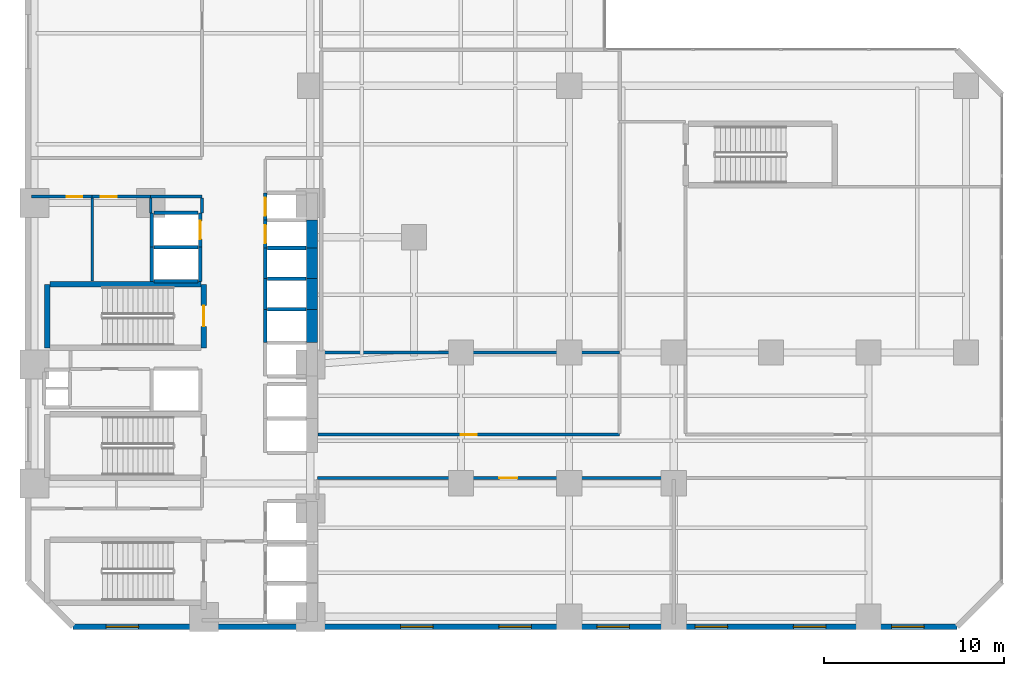
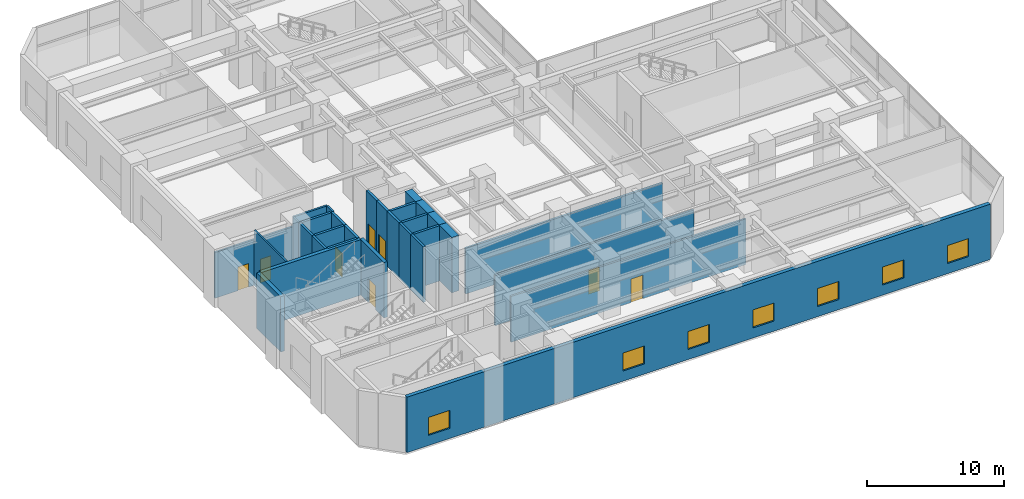
# One storey, part 15 of 22: 32 walls, 8 doors, 7 windows, 15 openings.
"""IFC4 building model written with IfcOpenShell, lengths in metres."""

from ifc_helpers import new_model, si_unit, direction, frame, frame_2d, origin, place, context, subcontext, project, spatial, rectangle, extrude, material, layer, layer_set, type_object, element, fill, save


model = new_model("IFC4")

# Units and contexts
model_context = context("Model", 3, precision=1e-05, world=origin(), true_north=direction((0.0, 1.0)))
body_context = subcontext(model_context, "Body", "Model", "MODEL_VIEW")
ifc_project = project(units=[si_unit("LENGTHUNIT", "METRE"), si_unit("AREAUNIT", "SQUARE_METRE"), si_unit("VOLUMEUNIT", "CUBIC_METRE"), si_unit("PLANEANGLEUNIT", "RADIAN"), si_unit("MASSUNIT", "GRAM", prefix="KILO")], contexts=[model_context])

# Site, building, storey
site_placement = place(None, origin())
site = spatial("IfcSite", under=ifc_project, at=site_placement, CompositionType="ELEMENT")
building_placement = place(site_placement, origin())
building = spatial("IfcBuilding", under=site, at=building_placement, Name="Mawjaban Terraces University", CompositionType="ELEMENT")
storey_placement = place(building_placement, frame((0.0, 0.0, 10.39990234375)))
storey = spatial("IfcBuildingStorey", under=building, at=storey_placement, Name="L02", CompositionType="ELEMENT", Elevation=10.39990234375)

# Walls
ifc_material_1 = material(Name="Acoustic masonry blockwork", Category="masonry")
ifc_layer_1 = layer(ifc_material_1, 0.179931640625)
ifc_layer_set_1 = layer_set([ifc_layer_1], Name="Acoustic masonry blockwork")
wall_type_1 = type_object("IfcWallType", Name="AcousticStudioWall_180", PredefinedType="PARTITIONING", material=ifc_layer_set_1)
wall_1_placement = place(storey_placement, frame((38.25, 15.199951171875, 0.0), z_axis=(0.0, 0.0, 1.0), x_axis=(1.0, 0.0, 0.0)))
element("IfcWall", 1, at=wall_1_placement, inside=storey, type_object=wall_type_1, Name="L02 Fixed-Seat Lecture Theatre Partition 14", PredefinedType="PARTITIONING", context=body_context, shape_type="SweptSolid", body=[
    extrude(rectangle(XDim=16.550048828125, YDim=0.179931640625, at=frame_2d((8.27490234375, 0.0))), origin(), (0.0, 0.0, 1.0), 4.065185546875),
])
ifc_material_2 = material(Name="Concrete C70/85", Category="concrete")
ifc_layer_2 = layer(ifc_material_2, 0.60009765625)
ifc_layer_set_2 = layer_set([ifc_layer_2], Name="Concrete C70/85")
wall_type_2 = type_object("IfcWallType", Name="CoreShearWall_600", PredefinedType="SHEAR", material=ifc_layer_set_2)
wall_2_placement = place(storey_placement, frame((37.75, 15.75, 0.0), z_axis=(0.0, 0.0, 1.0), x_axis=(0.0, 1.0, 0.0)))
element("IfcWall", 2, at=wall_2_placement, inside=storey, type_object=wall_type_2, Name="L02 Lift OL-2 Hoistway Wall East", PredefinedType="SHEAR", context=body_context, shape_type="SweptSolid", body=[
    extrude(rectangle(XDim=1.85009765625, YDim=0.60009765625, at=frame_2d((0.925048828125, 0.0))), origin(), (0.0, 0.0, 1.0), 4.920166015625),
])
for number, where, z_axis, x_axis, name in (
    (3, (37.75, 17.60009765625, 0.0), (0.0, 0.0, 1.0), (0.0, 1.0, 0.0), "L02 Lift PL-M1 Hoistway Wall East"),
    (4, (37.75, 19.300048828125, 0.0), (0.0, 0.0, 1.0), (0.0, 1.0, 0.0), "L02 Lift PL-M2 Hoistway Wall East"),
):
    element("IfcWall", number, at=place(storey_placement, frame(where, z_axis=z_axis, x_axis=x_axis)), inside=storey, type_object=wall_type_2, Name=name, PredefinedType="SHEAR", context=body_context, shape_type="SweptSolid", body=[
        extrude(rectangle(XDim=1.699951171875, YDim=0.60009765625, at=frame_2d((0.85009765625, 0.0))), origin(), (0.0, 0.0, 1.0), 4.920166015625),
    ])
wall_3_placement = place(storey_placement, frame((37.75, 21.0, 0.0), z_axis=(0.0, 0.0, 1.0), x_axis=(0.0, 1.0, 0.0)))
element("IfcWall", 5, at=wall_3_placement, inside=storey, type_object=wall_type_2, Name="L02 Lift PL-L1 Hoistway Wall East", PredefinedType="SHEAR", context=body_context, shape_type="SweptSolid", body=[
    extrude(rectangle(XDim=1.550048828125, YDim=0.60009765625, at=frame_2d((0.77490234375, 0.0))), origin(), (0.0, 0.0, 1.0), 4.920166015625),
])

# Wall, opening, door
ifc_material_3 = material(Name="Fire-rated gypsum board on steel stud", Category="steel")
ifc_layer_3 = layer(ifc_material_3, 0.159912109375)
ifc_layer_set_3 = layer_set([ifc_layer_3], Name="Fire-rated gypsum board on steel stud")
wall_type_3 = type_object("IfcWallType", Name="CorridorPartition_160", PredefinedType="PARTITIONING", material=ifc_layer_set_3)
wall_4_placement = place(storey_placement, frame((25.550048828125, 23.85009765625, 0.0), z_axis=(0.0, 0.0, 1.0), x_axis=(-1.0, 0.0, 0.0)))
wall_4 = element("IfcWall", 6, at=wall_4_placement, inside=storey, type_object=wall_type_3, Name="L02 Female Toilet Partition 3", PredefinedType="PARTITIONING", context=body_context, shape_type="SweptSolid", body=[
    extrude(rectangle(XDim=3.35009765625, YDim=0.159912109375, at=frame_2d((1.675048828125, 0.0))), origin(), (0.0, 0.0, 1.0), 4.065185546875),
])
opening_1_placement = place(wall_4_placement, frame((0.534912109375, 0.0, 0.0)))
opening_1 = element("IfcOpeningElement", 7, at=opening_1_placement, cuts=wall_4, Name="Opening ID-088", PredefinedType="OPENING", context=body_context, shape_type="SweptSolid", body=[
    extrude(rectangle(XDim=0.8798828125, YDim=2.10009765625, at=frame_2d((0.43994140625, 1.050048828125))), frame((0.0, 0.08984375, 0.0), z_axis=(0.0, -1.0, 0.0), x_axis=(1.0, 0.0, 0.0)), (0.0, 0.0, 1.0), 0.179931640625),
])
ifc_material_4 = material(Name="Powder-coated steel frame and solid acoustic timber leaf", Category="steel")
door_type_1 = type_object("IfcDoorType", Name="ToiletDoor_880x2100", OperationType="NOTDEFINED", PredefinedType="DOOR", material=ifc_material_4)
door_1_placement = place(opening_1_placement, origin())
door_1 = element("IfcDoor", 8, at=door_1_placement, inside=storey, type_object=door_type_1, Name="L02 Female Toilet Door", OperationType="SINGLE_SWING_LEFT", OverallHeight=2.10009765625, OverallWidth=0.8798828125, PredefinedType="DOOR", context=body_context, shape_type="SweptSolid", body=[
    extrude(rectangle(XDim=0.8798828125, YDim=2.10009765625, at=frame_2d((0.43994140625, 1.050048828125))), frame((0.0, 0.02490234375, 0.0), z_axis=(0.0, -1.0, 0.0), x_axis=(1.0, 0.0, 0.0)), (0.0, 0.0, 1.0), 0.050048828125),
])
fill(opening_1, door_1)

wall_5_placement = place(storey_placement, frame((28.800048828125, 23.85009765625, 0.0), z_axis=(0.0, 0.0, 1.0), x_axis=(-1.0, 0.0, 0.0)))
wall_5 = element("IfcWall", 9, at=wall_5_placement, inside=storey, type_object=wall_type_3, Name="L02 Staff Tea Pantry Partition 5", PredefinedType="PARTITIONING", context=body_context, shape_type="SweptSolid", body=[
    extrude(rectangle(XDim=3.25, YDim=0.159912109375, at=frame_2d((1.625, 0.0))), origin(), (0.0, 0.0, 1.0), 4.065185546875),
])
opening_2_placement = place(wall_5_placement, frame((1.875, 0.0, 0.0)))
opening_2 = element("IfcOpeningElement", 10, at=opening_2_placement, cuts=wall_5, Name="Opening ID-090", PredefinedType="OPENING", context=body_context, shape_type="SweptSolid", body=[
    extrude(rectangle(XDim=0.89990234375, YDim=2.10009765625, at=frame_2d((0.449951171875, 1.050048828125))), frame((0.0, 0.08984375, 0.0), z_axis=(0.0, -1.0, 0.0), x_axis=(1.0, 0.0, 0.0)), (0.0, 0.0, 1.0), 0.179931640625),
])
door_type_2 = type_object("IfcDoorType", Name="OfficeDoor_900x2100", OperationType="NOTDEFINED", PredefinedType="DOOR", material=ifc_material_4)
door_2_placement = place(opening_2_placement, origin())
door_2 = element("IfcDoor", 11, at=door_2_placement, inside=storey, type_object=door_type_2, Name="L02 Staff Tea Pantry Door", OperationType="SINGLE_SWING_RIGHT", OverallHeight=2.10009765625, OverallWidth=0.89990234375, PredefinedType="DOOR", context=body_context, shape_type="SweptSolid", body=[
    extrude(rectangle(XDim=0.89990234375, YDim=2.10009765625, at=frame_2d((0.449951171875, 1.050048828125))), frame((0.0, 0.02490234375, 0.0), z_axis=(0.0, -1.0, 0.0), x_axis=(1.0, 0.0, 0.0)), (0.0, 0.0, 1.0), 0.050048828125),
])
fill(opening_2, door_2)

# Wall
wall_6_placement = place(storey_placement, frame((28.800048828125, 23.85009765625, 0.0), z_axis=(0.0, 0.0, 1.0), x_axis=(1.0, 0.0, 0.0)))
element("IfcWall", 12, at=wall_6_placement, inside=storey, type_object=wall_type_3, Name="L02 North Core Cross-Corridor Partition 6", PredefinedType="PARTITIONING", context=body_context, shape_type="SweptSolid", body=[
    extrude(rectangle(XDim=2.849853515625, YDim=0.159912109375, at=frame_2d((1.4248046875, 0.0))), origin(), (0.0, 0.0, 1.0), 4.920166015625),
])

# Wall, opening, door
wall_7_placement = place(storey_placement, frame((38.050048828125, 8.25, 0.0), z_axis=(0.0, 0.0, 1.0), x_axis=(1.0, 0.0, 0.0)))
wall_7 = element("IfcWall", 13, at=wall_7_placement, inside=storey, type_object=wall_type_3, Name="L02 Podium Academic Gallery Corridor Partition 13", PredefinedType="PARTITIONING", context=body_context, shape_type="SweptSolid", body=[
    extrude(rectangle(XDim=19.75, YDim=0.159912109375, at=frame_2d((9.875, 0.0))), origin(), (0.0, 0.0, 1.0), 4.065185546875),
])
opening_3_placement = place(wall_7_placement, frame((10.074951171875, 0.0, 0.0)))
opening_3 = element("IfcOpeningElement", 14, at=opening_3_placement, cuts=wall_7, Name="Opening ID-100", PredefinedType="OPENING", context=body_context, shape_type="SweptSolid", body=[
    extrude(rectangle(XDim=1.0, YDim=2.10009765625, at=frame_2d((0.5, 1.050048828125))), frame((0.0, 0.08984375, 0.0), z_axis=(0.0, -1.0, 0.0), x_axis=(1.0, 0.0, 0.0)), (0.0, 0.0, 1.0), 0.179931640625),
])
door_type_3 = type_object("IfcDoorType", Name="ClassroomDoor_1000x2100", OperationType="NOTDEFINED", PredefinedType="DOOR", material=ifc_material_4)
door_3_placement = place(opening_3_placement, origin())
door_3 = element("IfcDoor", 15, at=door_3_placement, inside=storey, type_object=door_type_3, Name="L02 Foundation Seminar Classroom Door", OperationType="SINGLE_SWING_RIGHT", OverallHeight=2.10009765625, OverallWidth=1.0, PredefinedType="DOOR", context=body_context, shape_type="SweptSolid", body=[
    extrude(rectangle(XDim=1.0, YDim=2.10009765625, at=frame_2d((0.5, 1.050048828125))), frame((0.0, 0.02490234375, 0.0), z_axis=(0.0, -1.0, 0.0), x_axis=(1.0, 0.0, 0.0)), (0.0, 0.0, 1.0), 0.050048828125),
])
fill(opening_3, door_3)

wall_8_placement = place(storey_placement, frame((54.800048828125, 10.64990234375, 0.0), z_axis=(0.0, 0.0, 1.0), x_axis=(-1.0, 0.0, 0.0)))
wall_8 = element("IfcWall", 16, at=wall_8_placement, inside=storey, type_object=wall_type_3, Name="L02 Podium Academic Gallery Corridor Partition 18", PredefinedType="PARTITIONING", context=body_context, shape_type="SweptSolid", body=[
    extrude(rectangle(XDim=16.719970703125, YDim=0.159912109375, at=frame_2d((8.35986328125, 0.0))), origin(), (0.0, 0.0, 1.0), 4.451171875),
])
opening_4_placement = place(wall_8_placement, frame((7.909912109375, 0.0, 0.0)))
opening_4 = element("IfcOpeningElement", 17, at=opening_4_placement, cuts=wall_8, Name="Opening ID-090", PredefinedType="OPENING", context=body_context, shape_type="SweptSolid", body=[
    extrude(rectangle(XDim=0.89990234375, YDim=2.10009765625, at=frame_2d((0.449951171875, 1.050048828125))), frame((0.0, 0.08984375, 0.0), z_axis=(0.0, -1.0, 0.0), x_axis=(1.0, 0.0, 0.0)), (0.0, 0.0, 1.0), 0.179931640625),
])
door_4_placement = place(opening_4_placement, origin())
door_4 = element("IfcDoor", 18, at=door_4_placement, inside=storey, type_object=door_type_2, Name="L02 Lecture Audio-Visual Preparation Room Door", OperationType="SINGLE_SWING_LEFT", OverallHeight=2.10009765625, OverallWidth=0.89990234375, PredefinedType="DOOR", context=body_context, shape_type="SweptSolid", body=[
    extrude(rectangle(XDim=0.89990234375, YDim=2.10009765625, at=frame_2d((0.449951171875, 1.050048828125))), frame((0.0, 0.02490234375, 0.0), z_axis=(0.0, -1.0, 0.0), x_axis=(1.0, 0.0, 0.0)), (0.0, 0.0, 1.0), 0.050048828125),
])
fill(opening_4, door_4)

# Wall
wall_9_placement = place(storey_placement, frame((31.64990234375, 23.77490234375, 0.0), z_axis=(0.0, 0.0, 1.0), x_axis=(0.0, -1.0, 0.0)))
element("IfcWall", 19, at=wall_9_placement, inside=storey, type_object=wall_type_3, Name="L02 Passenger Lift Lobby Partition 28", PredefinedType="PARTITIONING", context=body_context, shape_type="SweptSolid", body=[
    extrude(rectangle(XDim=0.824951171875, YDim=0.159912109375, at=frame_2d((0.41259765625, 0.0))), origin(), (0.0, 0.0, 1.0), 4.920166015625),
])

# Wall, openings, windows
ifc_material_5 = material(Name="Insulated terracotta rainscreen on concrete backup C40/50", Category="masonry")
ifc_layer_4 = layer(ifc_material_5, 0.320068359375)
ifc_layer_set_4 = layer_set([ifc_layer_4], Name="Insulated terracotta rainscreen on concrete backup C40/50")
wall_type_4 = type_object("IfcWallType", Name="ExtTerracottaWall_320", PredefinedType="SOLIDWALL", material=ifc_layer_set_4)
wall_10_placement = place(storey_placement, frame((24.5, 0.0, 0.0), z_axis=(0.0, 0.0, 1.0), x_axis=(1.0, 0.0, 0.0)))
wall_10 = element("IfcWall", 20, at=wall_10_placement, inside=storey, type_object=wall_type_4, Name="L02 Exterior Terracotta Wall 1", PredefinedType="SOLIDWALL", context=body_context, shape_type="SweptSolid", body=[
    extrude(rectangle(XDim=49.0, YDim=0.320068359375, at=frame_2d((24.5, 0.0))), origin(), (0.0, 0.0, 1.0), 4.920166015625),
])
opening_5_placement = place(wall_10_placement, frame((1.822021484375, 0.0, 0.89990234375)))
opening_5 = element("IfcOpeningElement", 21, at=opening_5_placement, cuts=wall_10, Name="Opening W-03", PredefinedType="OPENING", context=body_context, shape_type="SweptSolid", body=[
    extrude(rectangle(XDim=1.800048828125, YDim=1.60009765625, at=frame_2d((0.89990234375, 0.800048828125))), frame((0.0, 0.169921875, 0.0), z_axis=(0.0, -1.0, 0.0), x_axis=(1.0, 0.0, 0.0)), (0.0, 0.0, 1.0), 0.340087890625),
])
opening_6_placement = place(wall_10_placement, frame((18.156005859375, 0.0, 0.89990234375)))
opening_6 = element("IfcOpeningElement", 22, at=opening_6_placement, cuts=wall_10, Name="Opening W-03", PredefinedType="OPENING", context=body_context, shape_type="SweptSolid", body=[
    extrude(rectangle(XDim=1.800048828125, YDim=1.60009765625, at=frame_2d((0.89990234375, 0.800048828125))), frame((0.0, 0.169921875, 0.0), z_axis=(0.0, -1.0, 0.0), x_axis=(1.0, 0.0, 0.0)), (0.0, 0.0, 1.0), 0.340087890625),
])
opening_7_placement = place(wall_10_placement, frame((23.60009765625, 0.0, 0.89990234375)))
opening_7 = element("IfcOpeningElement", 23, at=opening_7_placement, cuts=wall_10, Name="Opening W-03", PredefinedType="OPENING", context=body_context, shape_type="SweptSolid", body=[
    extrude(rectangle(XDim=1.800048828125, YDim=1.60009765625, at=frame_2d((0.89990234375, 0.800048828125))), frame((0.0, 0.169921875, 0.0), z_axis=(0.0, -1.0, 0.0), x_axis=(1.0, 0.0, 0.0)), (0.0, 0.0, 1.0), 0.340087890625),
])
opening_8_placement = place(wall_10_placement, frame((29.0439453125, 0.0, 0.89990234375)))
opening_8 = element("IfcOpeningElement", 24, at=opening_8_placement, cuts=wall_10, Name="Opening W-03", PredefinedType="OPENING", context=body_context, shape_type="SweptSolid", body=[
    extrude(rectangle(XDim=1.800048828125, YDim=1.60009765625, at=frame_2d((0.89990234375, 0.800048828125))), frame((0.0, 0.169921875, 0.0), z_axis=(0.0, -1.0, 0.0), x_axis=(1.0, 0.0, 0.0)), (0.0, 0.0, 1.0), 0.340087890625),
])
opening_9_placement = place(wall_10_placement, frame((34.489013671875, 0.0, 0.89990234375)))
opening_9 = element("IfcOpeningElement", 25, at=opening_9_placement, cuts=wall_10, Name="Opening W-03", PredefinedType="OPENING", context=body_context, shape_type="SweptSolid", body=[
    extrude(rectangle(XDim=1.800048828125, YDim=1.60009765625, at=frame_2d((0.89990234375, 0.800048828125))), frame((0.0, 0.169921875, 0.0), z_axis=(0.0, -1.0, 0.0), x_axis=(1.0, 0.0, 0.0)), (0.0, 0.0, 1.0), 0.340087890625),
])
opening_10_placement = place(wall_10_placement, frame((39.93310546875, 0.0, 0.89990234375)))
opening_10 = element("IfcOpeningElement", 26, at=opening_10_placement, cuts=wall_10, Name="Opening W-03", PredefinedType="OPENING", context=body_context, shape_type="SweptSolid", body=[
    extrude(rectangle(XDim=1.800048828125, YDim=1.60009765625, at=frame_2d((0.89990234375, 0.800048828125))), frame((0.0, 0.169921875, 0.0), z_axis=(0.0, -1.0, 0.0), x_axis=(1.0, 0.0, 0.0)), (0.0, 0.0, 1.0), 0.340087890625),
])
opening_11_placement = place(wall_10_placement, frame((45.3779296875, 0.0, 0.89990234375)))
opening_11 = element("IfcOpeningElement", 27, at=opening_11_placement, cuts=wall_10, Name="Opening W-03", PredefinedType="OPENING", context=body_context, shape_type="SweptSolid", body=[
    extrude(rectangle(XDim=1.800048828125, YDim=1.60009765625, at=frame_2d((0.89990234375, 0.800048828125))), frame((0.0, 0.169921875, 0.0), z_axis=(0.0, -1.0, 0.0), x_axis=(1.0, 0.0, 0.0)), (0.0, 0.0, 1.0), 0.340087890625),
])
ifc_material_6 = material(Name="Low-E solar-control double glazing in thermally broken aluminium frame", Category="aluminium")
window_type = type_object("IfcWindowType", Name="Win_1800x1600", PartitioningType="SINGLE_PANEL", PredefinedType="WINDOW", material=ifc_material_6)
window_1_placement = place(opening_5_placement, origin())
window_1 = element("IfcWindow", 28, at=window_1_placement, inside=storey, type_object=window_type, Name="L02 Facade Window 1.1", OverallHeight=1.60009765625, OverallWidth=1.800048828125, PartitioningType="SINGLE_PANEL", PredefinedType="WINDOW", context=body_context, shape_type="SweptSolid", body=[
    extrude(rectangle(XDim=1.800048828125, YDim=1.60009765625, at=frame_2d((0.89990234375, 0.800048828125))), frame((0.0, 0.030029296875, 0.0), z_axis=(0.0, -1.0, 0.0), x_axis=(1.0, 0.0, 0.0)), (0.0, 0.0, 1.0), 0.06005859375),
])
fill(opening_5, window_1)
window_2_placement = place(opening_6_placement, origin())
window_2 = element("IfcWindow", 29, at=window_2_placement, inside=storey, type_object=window_type, Name="L02 Facade Window 1.4", OverallHeight=1.60009765625, OverallWidth=1.800048828125, PartitioningType="SINGLE_PANEL", PredefinedType="WINDOW", context=body_context, shape_type="SweptSolid", body=[
    extrude(rectangle(XDim=1.800048828125, YDim=1.60009765625, at=frame_2d((0.89990234375, 0.800048828125))), frame((0.0, 0.030029296875, 0.0), z_axis=(0.0, -1.0, 0.0), x_axis=(1.0, 0.0, 0.0)), (0.0, 0.0, 1.0), 0.06005859375),
])
fill(opening_6, window_2)
window_3_placement = place(opening_7_placement, origin())
window_3 = element("IfcWindow", 30, at=window_3_placement, inside=storey, type_object=window_type, Name="L02 Facade Window 1.5", OverallHeight=1.60009765625, OverallWidth=1.800048828125, PartitioningType="SINGLE_PANEL", PredefinedType="WINDOW", context=body_context, shape_type="SweptSolid", body=[
    extrude(rectangle(XDim=1.800048828125, YDim=1.60009765625, at=frame_2d((0.89990234375, 0.800048828125))), frame((0.0, 0.030029296875, 0.0), z_axis=(0.0, -1.0, 0.0), x_axis=(1.0, 0.0, 0.0)), (0.0, 0.0, 1.0), 0.06005859375),
])
fill(opening_7, window_3)
window_4_placement = place(opening_8_placement, origin())
window_4 = element("IfcWindow", 31, at=window_4_placement, inside=storey, type_object=window_type, Name="L02 Facade Window 1.6", OverallHeight=1.60009765625, OverallWidth=1.800048828125, PartitioningType="SINGLE_PANEL", PredefinedType="WINDOW", context=body_context, shape_type="SweptSolid", body=[
    extrude(rectangle(XDim=1.800048828125, YDim=1.60009765625, at=frame_2d((0.89990234375, 0.800048828125))), frame((0.0, 0.030029296875, 0.0), z_axis=(0.0, -1.0, 0.0), x_axis=(1.0, 0.0, 0.0)), (0.0, 0.0, 1.0), 0.06005859375),
])
fill(opening_8, window_4)
window_5_placement = place(opening_9_placement, origin())
window_5 = element("IfcWindow", 32, at=window_5_placement, inside=storey, type_object=window_type, Name="L02 Facade Window 1.7", OverallHeight=1.60009765625, OverallWidth=1.800048828125, PartitioningType="SINGLE_PANEL", PredefinedType="WINDOW", context=body_context, shape_type="SweptSolid", body=[
    extrude(rectangle(XDim=1.800048828125, YDim=1.60009765625, at=frame_2d((0.89990234375, 0.800048828125))), frame((0.0, 0.030029296875, 0.0), z_axis=(0.0, -1.0, 0.0), x_axis=(1.0, 0.0, 0.0)), (0.0, 0.0, 1.0), 0.06005859375),
])
fill(opening_9, window_5)
window_6_placement = place(opening_10_placement, origin())
window_6 = element("IfcWindow", 33, at=window_6_placement, inside=storey, type_object=window_type, Name="L02 Facade Window 1.8", OverallHeight=1.60009765625, OverallWidth=1.800048828125, PartitioningType="SINGLE_PANEL", PredefinedType="WINDOW", context=body_context, shape_type="SweptSolid", body=[
    extrude(rectangle(XDim=1.800048828125, YDim=1.60009765625, at=frame_2d((0.89990234375, 0.800048828125))), frame((0.0, 0.030029296875, 0.0), z_axis=(0.0, -1.0, 0.0), x_axis=(1.0, 0.0, 0.0)), (0.0, 0.0, 1.0), 0.06005859375),
])
fill(opening_10, window_6)
window_7_placement = place(opening_11_placement, origin())
window_7 = element("IfcWindow", 34, at=window_7_placement, inside=storey, type_object=window_type, Name="L02 Facade Window 1.9", OverallHeight=1.60009765625, OverallWidth=1.800048828125, PartitioningType="SINGLE_PANEL", PredefinedType="WINDOW", context=body_context, shape_type="SweptSolid", body=[
    extrude(rectangle(XDim=1.800048828125, YDim=1.60009765625, at=frame_2d((0.89990234375, 0.800048828125))), frame((0.0, 0.030029296875, 0.0), z_axis=(0.0, -1.0, 0.0), x_axis=(1.0, 0.0, 0.0)), (0.0, 0.0, 1.0), 0.06005859375),
])
fill(opening_11, window_7)

# Walls
ifc_material_7 = material(Name="Concrete C40/50", Category="concrete")
ifc_layer_5 = layer(ifc_material_7, 0.199951171875)
ifc_layer_set_5 = layer_set([ifc_layer_5], Name="Concrete C40/50")
wall_type_5 = type_object("IfcWallType", Name="FireLobbyWall_200", PredefinedType="SOLIDWALL", material=ifc_layer_set_5)
wall_11_placement = place(storey_placement, frame((35.14990234375, 17.60009765625, 0.0), z_axis=(0.0, 0.0, 1.0), x_axis=(0.0, -1.0, 0.0)))
element("IfcWall", 35, at=wall_11_placement, inside=storey, type_object=wall_type_5, Name="L02 Lift OL-2 Hoistway Wall West", PredefinedType="SOLIDWALL", context=body_context, shape_type="SweptSolid", body=[
    extrude(rectangle(XDim=1.85009765625, YDim=0.199951171875, at=frame_2d((0.925048828125, 0.0))), origin(), (0.0, 0.0, 1.0), 4.920166015625),
])
wall_12_placement = place(storey_placement, frame((37.419921875, 17.60009765625, 0.0), z_axis=(0.0, 0.0, 1.0), x_axis=(-1.0, 0.0, 0.0)))
element("IfcWall", 36, at=wall_12_placement, inside=storey, type_object=wall_type_5, Name="L02 Lift OL-2 Hoistway Wall North", PredefinedType="SOLIDWALL", context=body_context, shape_type="SweptSolid", body=[
    extrude(rectangle(XDim=2.139892578125, YDim=0.199951171875, at=frame_2d((1.06982421875, 0.0))), origin(), (0.0, 0.0, 1.0), 4.920166015625),
])
wall_13_placement = place(storey_placement, frame((35.14990234375, 19.300048828125, 0.0), z_axis=(0.0, 0.0, 1.0), x_axis=(0.0, -1.0, 0.0)))
element("IfcWall", 37, at=wall_13_placement, inside=storey, type_object=wall_type_5, Name="L02 Lift PL-M1 Hoistway Wall West", PredefinedType="SOLIDWALL", context=body_context, shape_type="SweptSolid", body=[
    extrude(rectangle(XDim=1.699951171875, YDim=0.199951171875, at=frame_2d((0.85009765625, 0.0))), origin(), (0.0, 0.0, 1.0), 4.920166015625),
])
wall_14_placement = place(storey_placement, frame((37.419921875, 19.300048828125, 0.0), z_axis=(0.0, 0.0, 1.0), x_axis=(-1.0, 0.0, 0.0)))
element("IfcWall", 38, at=wall_14_placement, inside=storey, type_object=wall_type_5, Name="L02 Lift PL-M1 Hoistway Wall North", PredefinedType="SOLIDWALL", context=body_context, shape_type="SweptSolid", body=[
    extrude(rectangle(XDim=2.139892578125, YDim=0.199951171875, at=frame_2d((1.06982421875, 0.0))), origin(), (0.0, 0.0, 1.0), 4.920166015625),
])
wall_15_placement = place(storey_placement, frame((35.14990234375, 21.0, 0.0), z_axis=(0.0, 0.0, 1.0), x_axis=(0.0, -1.0, 0.0)))
element("IfcWall", 39, at=wall_15_placement, inside=storey, type_object=wall_type_5, Name="L02 Lift PL-M2 Hoistway Wall West", PredefinedType="SOLIDWALL", context=body_context, shape_type="SweptSolid", body=[
    extrude(rectangle(XDim=1.699951171875, YDim=0.199951171875, at=frame_2d((0.85009765625, 0.0))), origin(), (0.0, 0.0, 1.0), 4.920166015625),
])
wall_16_placement = place(storey_placement, frame((37.419921875, 21.0, 0.0), z_axis=(0.0, 0.0, 1.0), x_axis=(-1.0, 0.0, 0.0)))
element("IfcWall", 40, at=wall_16_placement, inside=storey, type_object=wall_type_5, Name="L02 Lift PL-M2 Hoistway Wall North", PredefinedType="SOLIDWALL", context=body_context, shape_type="SweptSolid", body=[
    extrude(rectangle(XDim=2.139892578125, YDim=0.199951171875, at=frame_2d((1.06982421875, 0.0))), origin(), (0.0, 0.0, 1.0), 4.920166015625),
])
for number, where, z_axis, x_axis, name in (
    (41, (28.85009765625, 21.050048828125, 0.0), (0.0, 0.0, 1.0), (0.0, -1.0, 0.0), "L02 Lift PL-M3 Hoistway Wall West"),
    (42, (31.550048828125, 19.14990234375, 0.0), (0.0, 0.0, 1.0), (0.0, 1.0, 0.0), "L02 Lift PL-M3 Hoistway Wall East"),
):
    element("IfcWall", number, at=place(storey_placement, frame(where, z_axis=z_axis, x_axis=x_axis)), inside=storey, type_object=wall_type_5, Name=name, PredefinedType="SOLIDWALL", context=body_context, shape_type="SweptSolid", body=[
        extrude(rectangle(XDim=1.900146484375, YDim=0.199951171875, at=frame_2d((0.9501953125, 0.0))), origin(), (0.0, 0.0, 1.0), 4.920166015625),
    ])
for number, where, z_axis, x_axis, name in (
    (43, (28.97998046875, 19.14990234375, 0.0), (0.0, 0.0, 1.0), (1.0, 0.0, 0.0), "L02 Lift PL-M3 Hoistway Wall South"),
    (44, (31.419921875, 21.050048828125, 0.0), (0.0, 0.0, 1.0), (-1.0, 0.0, 0.0), "L02 Lift PL-M3 Hoistway Wall North"),
):
    element("IfcWall", number, at=place(storey_placement, frame(where, z_axis=z_axis, x_axis=x_axis)), inside=storey, type_object=wall_type_5, Name=name, PredefinedType="SOLIDWALL", context=body_context, shape_type="SweptSolid", body=[
        extrude(rectangle(XDim=2.43994140625, YDim=0.199951171875, at=frame_2d((1.219970703125, 0.0))), origin(), (0.0, 0.0, 1.0), 4.920166015625),
    ])

# Wall, opening, door
wall_17_placement = place(storey_placement, frame((35.14990234375, 22.550048828125, 0.0), z_axis=(0.0, 0.0, 1.0), x_axis=(0.0, -1.0, 0.0)))
wall_17 = element("IfcWall", 45, at=wall_17_placement, inside=storey, type_object=wall_type_5, Name="L02 Lift PL-L1 Hoistway Wall West", PredefinedType="SOLIDWALL", context=body_context, shape_type="SweptSolid", body=[
    extrude(rectangle(XDim=1.550048828125, YDim=0.199951171875, at=frame_2d((0.77490234375, 0.0))), origin(), (0.0, 0.0, 1.0), 4.920166015625),
])
opening_12_placement = place(wall_17_placement, frame((0.27490234375, 0.0, 0.0)))
opening_12 = element("IfcOpeningElement", 46, at=opening_12_placement, cuts=wall_17, Name="Opening LD-PL-L1", PredefinedType="OPENING", context=body_context, shape_type="SweptSolid", body=[
    extrude(rectangle(XDim=1.0, YDim=2.10009765625, at=frame_2d((0.5, 1.050048828125))), frame((0.0, 0.10986328125, 0.0), z_axis=(0.0, -1.0, 0.0), x_axis=(1.0, 0.0, 0.0)), (0.0, 0.0, 1.0), 0.219970703125),
])
ifc_material_8 = material(Name="Powder-coated steel frame and fire-rated steel-faced leaf", Category="steel")
door_type_4 = type_object("IfcDoorType", Name="LiftLandingSliding_1000x2100", OperationType="NOTDEFINED", PredefinedType="DOOR", material=ifc_material_8)
door_5_placement = place(opening_12_placement, origin())
door_5 = element("IfcDoor", 47, at=door_5_placement, inside=storey, type_object=door_type_4, Name="L02 Lift PL-L1 Sliding Landing Door", OperationType="DOUBLE_DOOR_SLIDING", OverallHeight=2.10009765625, OverallWidth=1.0, PredefinedType="DOOR", context=body_context, shape_type="SweptSolid", body=[
    extrude(rectangle(XDim=1.0, YDim=2.10009765625, at=frame_2d((0.5, 1.050048828125))), frame((0.0, 0.02490234375, 0.0), z_axis=(0.0, -1.0, 0.0), x_axis=(1.0, 0.0, 0.0)), (0.0, 0.0, 1.0), 0.050048828125),
])
fill(opening_12, door_5)

wall_18_placement = place(storey_placement, frame((35.14990234375, 24.050048828125, 0.0), z_axis=(0.0, 0.0, 1.0), x_axis=(0.0, -1.0, 0.0)))
wall_18 = element("IfcWall", 48, at=wall_18_placement, inside=storey, type_object=wall_type_5, Name="L02 Lift PL-L2 Hoistway Wall West", PredefinedType="SOLIDWALL", context=body_context, shape_type="SweptSolid", body=[
    extrude(rectangle(XDim=1.5, YDim=0.199951171875, at=frame_2d((0.75, 0.0))), origin(), (0.0, 0.0, 1.0), 4.920166015625),
])
opening_13_placement = place(wall_18_placement, frame((0.25, 0.0, 0.0)))
opening_13 = element("IfcOpeningElement", 49, at=opening_13_placement, cuts=wall_18, Name="Opening LD-PL-L2", PredefinedType="OPENING", context=body_context, shape_type="SweptSolid", body=[
    extrude(rectangle(XDim=1.0, YDim=2.10009765625, at=frame_2d((0.5, 1.050048828125))), frame((0.0, 0.10986328125, 0.0), z_axis=(0.0, -1.0, 0.0), x_axis=(1.0, 0.0, 0.0)), (0.0, 0.0, 1.0), 0.219970703125),
])
door_6_placement = place(opening_13_placement, origin())
door_6 = element("IfcDoor", 50, at=door_6_placement, inside=storey, type_object=door_type_4, Name="L02 Lift PL-L2 Sliding Landing Door", OperationType="DOUBLE_DOOR_SLIDING", OverallHeight=2.10009765625, OverallWidth=1.0, PredefinedType="DOOR", context=body_context, shape_type="SweptSolid", body=[
    extrude(rectangle(XDim=1.0, YDim=2.10009765625, at=frame_2d((0.5, 1.050048828125))), frame((0.0, 0.02490234375, 0.0), z_axis=(0.0, -1.0, 0.0), x_axis=(1.0, 0.0, 0.0)), (0.0, 0.0, 1.0), 0.050048828125),
])
fill(opening_13, door_6)

# Wall
wall_19_placement = place(storey_placement, frame((28.85009765625, 22.949951171875, 0.0), z_axis=(0.0, 0.0, 1.0), x_axis=(0.0, -1.0, 0.0)))
element("IfcWall", 51, at=wall_19_placement, inside=storey, type_object=wall_type_5, Name="L02 Lift PL-L3 Hoistway Wall West", PredefinedType="SOLIDWALL", context=body_context, shape_type="SweptSolid", body=[
    extrude(rectangle(XDim=1.89990234375, YDim=0.199951171875, at=frame_2d((0.949951171875, 0.0))), origin(), (0.0, 0.0, 1.0), 4.920166015625),
])

# Wall, opening, door
wall_20_placement = place(storey_placement, frame((31.550048828125, 21.050048828125, 0.0), z_axis=(0.0, 0.0, 1.0), x_axis=(0.0, 1.0, 0.0)))
wall_20 = element("IfcWall", 52, at=wall_20_placement, inside=storey, type_object=wall_type_5, Name="L02 Lift PL-L3 Hoistway Wall East", PredefinedType="SOLIDWALL", context=body_context, shape_type="SweptSolid", body=[
    extrude(rectangle(XDim=1.89990234375, YDim=0.199951171875, at=frame_2d((0.949951171875, 0.0))), origin(), (0.0, 0.0, 1.0), 4.920166015625),
])
opening_14_placement = place(wall_20_placement, frame((0.449951171875, 0.0, 0.0)))
opening_14 = element("IfcOpeningElement", 53, at=opening_14_placement, cuts=wall_20, Name="Opening LD-PL-L3", PredefinedType="OPENING", context=body_context, shape_type="SweptSolid", body=[
    extrude(rectangle(XDim=1.0, YDim=2.10009765625, at=frame_2d((0.5, 1.050048828125))), frame((0.0, 0.10986328125, 0.0), z_axis=(0.0, -1.0, 0.0), x_axis=(1.0, 0.0, 0.0)), (0.0, 0.0, 1.0), 0.219970703125),
])
door_7_placement = place(opening_14_placement, origin())
door_7 = element("IfcDoor", 54, at=door_7_placement, inside=storey, type_object=door_type_4, Name="L02 Lift PL-L3 Sliding Landing Door", OperationType="DOUBLE_DOOR_SLIDING", OverallHeight=2.10009765625, OverallWidth=1.0, PredefinedType="DOOR", context=body_context, shape_type="SweptSolid", body=[
    extrude(rectangle(XDim=1.0, YDim=2.10009765625, at=frame_2d((0.5, 1.050048828125))), frame((0.0, 0.02490234375, 0.0), z_axis=(0.0, -1.0, 0.0), x_axis=(1.0, 0.0, 0.0)), (0.0, 0.0, 1.0), 0.050048828125),
])
fill(opening_14, door_7)

# Walls
wall_21_placement = place(storey_placement, frame((31.429931640625, 22.949951171875, 0.0), z_axis=(0.0, 0.0, 1.0), x_axis=(-1.0, 0.0, 0.0)))
element("IfcWall", 55, at=wall_21_placement, inside=storey, type_object=wall_type_5, Name="L02 Lift PL-L3 Hoistway Wall North", PredefinedType="SOLIDWALL", context=body_context, shape_type="SweptSolid", body=[
    extrude(rectangle(XDim=2.4599609375, YDim=0.199951171875, at=frame_2d((1.22998046875, 0.0))), origin(), (0.0, 0.0, 1.0), 4.920166015625),
])
ifc_material_9 = material(Name="Gypsum plasterboard on steel stud", Category="steel")
ifc_layer_6 = layer(ifc_material_9, 0.125)
ifc_layer_set_6 = layer_set([ifc_layer_6], Name="Gypsum plasterboard on steel stud")
wall_type_6 = type_object("IfcWallType", Name="OfficePartition_125", PredefinedType="PARTITIONING", material=ifc_layer_set_6)
wall_22_placement = place(storey_placement, frame((28.800048828125, 22.949951171875, 0.0), z_axis=(0.0, 0.0, 1.0), x_axis=(0.0, 1.0, 0.0)))
element("IfcWall", 56, at=wall_22_placement, inside=storey, type_object=wall_type_6, Name="L02 Staff Tea Pantry Partition 26", PredefinedType="PARTITIONING", context=body_context, shape_type="SweptSolid", body=[
    extrude(rectangle(XDim=0.824951171875, YDim=0.125, at=frame_2d((0.41259765625, 0.0))), origin(), (0.0, 0.0, 1.0), 4.920166015625),
])
ifc_material_10 = material(Name="Concrete C60/75", Category="concrete")
ifc_layer_7 = layer(ifc_material_10, 0.300048828125)
ifc_layer_set_7 = layer_set([ifc_layer_7], Name="Concrete C60/75")
wall_type_7 = type_object("IfcWallType", Name="StairShaftWall_300", PredefinedType="SHEAR", material=ifc_layer_set_7)
wall_23_placement = place(storey_placement, frame((31.580078125, 18.97998046875, 0.0), z_axis=(0.0, 0.0, 1.0), x_axis=(-1.0, 0.0, 0.0)))
element("IfcWall", 57, at=wall_23_placement, inside=storey, type_object=wall_type_7, Name="L02 ST-2 Stair Shaft Wall 1", PredefinedType="SHEAR", context=body_context, shape_type="SweptSolid", body=[
    extrude(rectangle(XDim=8.360107421875, YDim=0.300048828125, at=frame_2d((4.18017578125, 0.0))), origin(), (0.0, 0.0, 1.0), 4.920166015625),
])
wall_24_placement = place(storey_placement, frame((23.070068359375, 18.97998046875, 0.0), z_axis=(0.0, 0.0, 1.0), x_axis=(0.0, -1.0, 0.0)))
element("IfcWall", 58, at=wall_24_placement, inside=storey, type_object=wall_type_7, Name="L02 ST-2 Stair Shaft Wall 2", PredefinedType="SHEAR", context=body_context, shape_type="SweptSolid", body=[
    extrude(rectangle(XDim=3.510009765625, YDim=0.300048828125, at=frame_2d((1.7548828125, 0.0))), origin(), (0.0, 0.0, 1.0), 4.920166015625),
])

# Wall, opening, door
wall_25_placement = place(storey_placement, frame((31.72998046875, 15.469970703125, 0.0), z_axis=(0.0, 0.0, 1.0), x_axis=(0.0, 1.0, 0.0)))
wall_25 = element("IfcWall", 59, at=wall_25_placement, inside=storey, type_object=wall_type_7, Name="L02 ST-2 Stair Shaft Wall 4", PredefinedType="SHEAR", context=body_context, shape_type="SweptSolid", body=[
    extrude(rectangle(XDim=3.510009765625, YDim=0.300048828125, at=frame_2d((1.7548828125, 0.0))), origin(), (0.0, 0.0, 1.0), 4.920166015625),
])
opening_15_placement = place(wall_25_placement, frame((1.179931640625, 0.0, 0.0)))
opening_15 = element("IfcOpeningElement", 60, at=opening_15_placement, cuts=wall_25, Name="Opening FD-115", PredefinedType="OPENING", context=body_context, shape_type="SweptSolid", body=[
    extrude(rectangle(XDim=1.14990234375, YDim=2.14990234375, at=frame_2d((0.574951171875, 1.074951171875))), frame((0.0, 0.159912109375, 0.0), z_axis=(0.0, -1.0, 0.0), x_axis=(1.0, 0.0, 0.0)), (0.0, 0.0, 1.0), 0.320068359375),
])
door_type_5 = type_object("IfcDoorType", Name="FireStairDoor_1150x2150", OperationType="NOTDEFINED", PredefinedType="DOOR", material=ifc_material_8)
door_8_placement = place(opening_15_placement, origin())
door_8 = element("IfcDoor", 61, at=door_8_placement, inside=storey, type_object=door_type_5, Name="L02 ST-2 Pressurised Stair Fire Door", OperationType="SINGLE_SWING_LEFT", OverallHeight=2.14990234375, OverallWidth=1.14990234375, PredefinedType="DOOR", context=body_context, shape_type="SweptSolid", body=[
    extrude(rectangle(XDim=1.14990234375, YDim=2.14990234375, at=frame_2d((0.574951171875, 1.074951171875))), frame((0.0, 0.02490234375, 0.0), z_axis=(0.0, -1.0, 0.0), x_axis=(1.0, 0.0, 0.0)), (0.0, 0.0, 1.0), 0.050048828125),
])
fill(opening_15, door_8)

# Wall
ifc_material_11 = material(Name="Cement-board wet-room partition", Category="masonry")
ifc_layer_8 = layer(ifc_material_11, 0.135009765625)
ifc_layer_set_8 = layer_set([ifc_layer_8], Name="Cement-board wet-room partition")
wall_type_8 = type_object("IfcWallType", Name="WetRoomPartition_135", PredefinedType="PARTITIONING", material=ifc_layer_set_8)
wall_26_placement = place(storey_placement, frame((25.550048828125, 19.159912109375, 0.0), z_axis=(0.0, 0.0, 1.0), x_axis=(0.0, 1.0, 0.0)))
element("IfcWall", 62, at=wall_26_placement, inside=storey, type_object=wall_type_8, Name="L02 Female Toilet Partition 24", PredefinedType="PARTITIONING", context=body_context, shape_type="SweptSolid", body=[
    extrude(rectangle(XDim=4.614990234375, YDim=0.135009765625, at=frame_2d((2.3076171875, 0.0))), origin(), (0.0, 0.0, 1.0), 4.920166015625),
])

save(model, "model.ifc")
